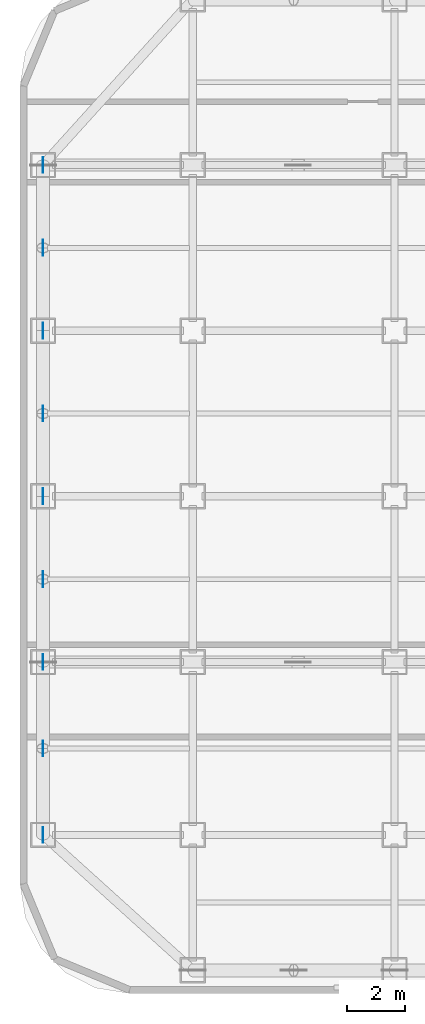
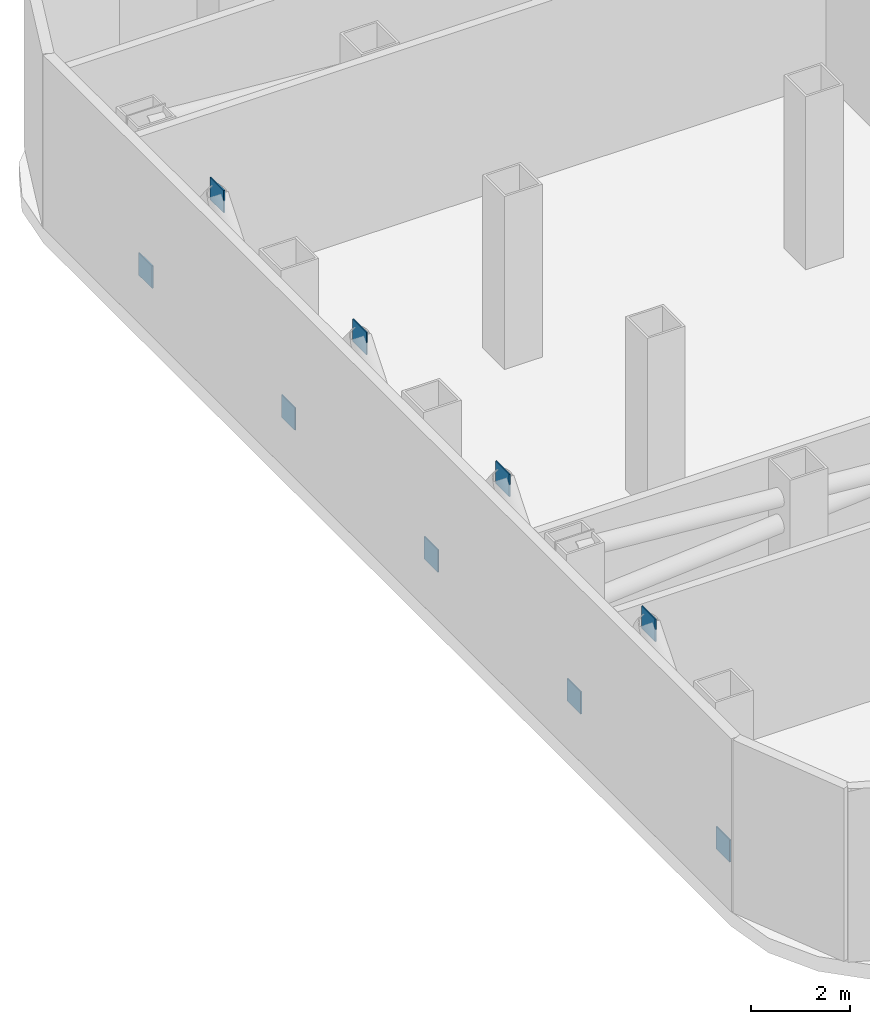
# One storey, part 5 of 9: 9 plates.
"""IFC4 building model written with IfcOpenShell, lengths in metres."""

import ifcopenshell
import ifcopenshell.guid

model = None  # the IFC model being written
_history = None  # IfcOwnerHistory: only IFC2X3 demands one
_inside = {}  # id of a spatial element -> (the spatial element, [elements in it])
_under = {}  # id of a project, library or spatial element -> (it, [spatial elements below it])
_declared = {}  # id of a project -> (the project, [libraries it declares])
_typed = {}  # id of a type object -> (the type object, [elements of that type])
_made_of = {}  # id of a material, layer set ... -> (it, [elements and type objects made of it])


def new_model(schema):
    """Start an empty IFC model of exactly this schema.

    Asked for "IFC4X3", IfcOpenShell would pick the latest addendum, in which some entities
    have other attributes; the version numbers below select the first issue.
    IFC2X3 requires an IfcOwnerHistory on every rooted entity: one is made here for all.
    """
    global model, _history
    if schema == "IFC4X3":
        model = ifcopenshell.file(schema_version=(4, 3, 0, 0))
    else:
        model = ifcopenshell.file(schema=schema)
    _inside.clear()
    _under.clear()
    _declared.clear()
    _typed.clear()
    _made_of.clear()
    _history = None
    if model.schema == "IFC2X3":
        org = make("IfcOrganization", Name="unknown")
        user = make(
            "IfcPersonAndOrganization",
            ThePerson=make("IfcPerson", FamilyName="unknown"),
            TheOrganization=org,
        )
        app = make(
            "IfcApplication",
            ApplicationDeveloper=org,
            Version="unknown",
            ApplicationFullName="unknown",
            ApplicationIdentifier="unknown",
        )
        _history = make(
            "IfcOwnerHistory",
            OwningUser=user,
            OwningApplication=app,
            ChangeAction="ADDED",
            CreationDate=0,
        )
    return model


def make(cls, **values):
    """One entity of the class cls with the attributes given. An attribute that is None is left unset."""
    return model.create_entity(
        cls, **{name: value for name, value in values.items() if value is not None}
    )


def rooted(cls, **values):
    """An entity with a GlobalId (a new one), such as an element, a storey or a relation."""
    return make(cls, GlobalId=ifcopenshell.guid.new(), OwnerHistory=_history, **values)


def si_unit(unit_type, name, prefix=None):
    """IfcSIUnit, for example si_unit("LENGTHUNIT", "METRE", prefix="MILLI")."""
    return make("IfcSIUnit", UnitType=unit_type, Prefix=prefix, Name=name)


def assignment(units):
    """IfcUnitAssignment: the units of a project."""
    return None if units is None else make("IfcUnitAssignment", Units=units)


def point(xyz):
    """IfcCartesianPoint."""
    return None if xyz is None else make("IfcCartesianPoint", Coordinates=xyz)


def direction(xyz):
    """IfcDirection."""
    return None if xyz is None else make("IfcDirection", DirectionRatios=xyz)


def frame(location, z_axis=None, x_axis=None):
    """IfcAxis2Placement3D, a coordinate frame: its origin and axes. An axis left out is left unset."""
    return make(
        "IfcAxis2Placement3D",
        Location=point(location),
        Axis=direction(z_axis),
        RefDirection=direction(x_axis),
    )


def frame_2d(location, x_axis=None):
    """IfcAxis2Placement2D, a coordinate frame in the plane: its origin and x axis."""
    return make(
        "IfcAxis2Placement2D", Location=point(location), RefDirection=direction(x_axis)
    )


def origin():
    """The frame at (0, 0, 0) with its axes left unset."""
    return frame((0.0, 0.0, 0.0))


def origin_2d():
    """The frame at (0, 0) in the plane with its x axis left unset."""
    return frame_2d((0.0, 0.0))


def place(relative_to, where):
    """IfcLocalPlacement: puts the frame where relative to a parent placement (None: the world)."""
    return make(
        "IfcLocalPlacement", PlacementRelTo=relative_to, RelativePlacement=where
    )


def context(
    kind, dimensions, precision=None, world=None, true_north=None, identifier=None
):
    """IfcGeometricRepresentationContext, for example the 3D "Model" context."""
    return make(
        "IfcGeometricRepresentationContext",
        ContextIdentifier=identifier,
        ContextType=kind,
        CoordinateSpaceDimension=dimensions,
        Precision=precision,
        WorldCoordinateSystem=world,
        TrueNorth=true_north,
    )


def subcontext(parent, identifier, kind, view, scale=None):
    """IfcGeometricRepresentationSubContext, for example "Body" below "Model"."""
    return make(
        "IfcGeometricRepresentationSubContext",
        ContextIdentifier=identifier,
        ContextType=kind,
        ParentContext=parent,
        TargetScale=scale,
        TargetView=view,
    )


def project(units=None, contexts=None):
    """IfcProject with its units and contexts."""
    return rooted(
        "IfcProject",
        Name="project",
        RepresentationContexts=contexts,
        UnitsInContext=assignment(units),
    )


def spatial(cls, under=None, at=None, **own):
    """A site, building, storey or space (cls), placed at a placement, below another one or the project."""
    s = rooted(cls, ObjectPlacement=at, **own)
    if under is not None:
        _under.setdefault(under.id(), (under, []))[1].append(s)
    return s


def profile(cls, at=None, kind="AREA", **sizes):
    """A parametric profile (cls). Its sizes go by their IFC names, for example OverallWidth=200.0."""
    return make(cls, ProfileType=kind, Position=at, **sizes)


def rectangle(**sizes):
    """IfcRectangleProfileDef."""
    return profile("IfcRectangleProfileDef", **sizes)


def extrude(swept, where, along, depth):
    """IfcExtrudedAreaSolid: the profile swept, set in the frame where, extruded along a direction by depth."""
    return make(
        "IfcExtrudedAreaSolid",
        SweptArea=swept,
        Position=where,
        ExtrudedDirection=direction(along),
        Depth=depth,
    )


def shape(context_of_items, identifier, shape_type, items):
    """IfcShapeRepresentation: the items that make up one representation, for example the "Body"."""
    return make(
        "IfcShapeRepresentation",
        ContextOfItems=context_of_items,
        RepresentationIdentifier=identifier,
        RepresentationType=shape_type,
        Items=items,
    )


def source(mapping_origin, context_of_items, identifier, shape_type, items):
    """IfcRepresentationMap: a shape defined once, which mapped items show again and again."""
    return make(
        "IfcRepresentationMap",
        MappingOrigin=mapping_origin,
        MappedRepresentation=shape(context_of_items, identifier, shape_type, items),
    )


def transform(
    local_origin,
    x_axis=None,
    y_axis=None,
    z_axis=None,
    scale=None,
    scale2=None,
    scale3=None,
    uniform=True,
):
    """IfcCartesianTransformationOperator3D, or its non-uniform kind. x_axis, y_axis, z_axis: its Axis1, 2, 3."""
    if uniform:
        return make(
            "IfcCartesianTransformationOperator3D",
            Axis1=direction(x_axis),
            Axis2=direction(y_axis),
            LocalOrigin=point(local_origin),
            Scale=scale,
            Axis3=direction(z_axis),
        )
    return make(
        "IfcCartesianTransformationOperator3DnonUniform",
        Axis1=direction(x_axis),
        Axis2=direction(y_axis),
        LocalOrigin=point(local_origin),
        Scale=scale,
        Axis3=direction(z_axis),
        Scale2=scale2,
        Scale3=scale3,
    )


def mapped(mapping_source, mapping_target):
    """IfcMappedItem: shows the shape of a source again, moved by a transform."""
    return make(
        "IfcMappedItem", MappingSource=mapping_source, MappingTarget=mapping_target
    )


def material(Name=None, Category=None):
    """IfcMaterial."""
    return make("IfcMaterial", Name=Name, Category=Category)


def layer(
    of_material, thickness, ventilated=None, Name=None, Category=None, Priority=None
):
    """IfcMaterialLayer: one layer of a wall or slab, of a material (None: an air gap)."""
    return make(
        "IfcMaterialLayer",
        Material=of_material,
        LayerThickness=thickness,
        IsVentilated=ventilated,
        Name=Name,
        Category=Category,
        Priority=Priority,
    )


def layer_set(layers, Name=None):
    """IfcMaterialLayerSet."""
    return make("IfcMaterialLayerSet", MaterialLayers=layers, LayerSetName=Name)


def made_of(thing, what):
    """Note that an element or type object is made of a material, layer set ...; save() writes the relation."""
    if what is not None:
        _made_of.setdefault(what.id(), (what, []))[1].append(thing)
    return thing


def type_object(cls, material=None, **own):
    """A type object (cls), such as IfcWallType, which elements share."""
    return made_of(rooted(cls, **own), material)


def element(
    cls,
    number,
    at=None,
    inside=None,
    cuts=None,
    type_object=None,
    material=None,
    context=None,
    identifier="Body",
    shape_type=None,
    held_by="IfcProductDefinitionShape",
    body=None,
    shapes=None,
    **own,
):
    """One element of the class cls, such as IfcWall. Its Tag is "e" and its number.

    at: its placement. inside: the storey or other place that contains it. cuts: it is an
    opening in that element (IfcRelVoidsElement). A single representation is given by context,
    identifier, shape_type and body (its items); several are given by shapes. held_by: the class
    of the entity that holds the representations. save() writes the other relations.
    """
    e = rooted(cls, Tag="e%d" % number, ObjectPlacement=at, **own)
    if body is not None:
        shapes = [shape(context, identifier, shape_type, body)]
    if shapes is not None:
        e.Representation = make(held_by, Representations=shapes)
    if inside is not None:
        _inside.setdefault(inside.id(), (inside, []))[1].append(e)
    if cuts is not None:
        rooted(
            "IfcRelVoidsElement", RelatingBuildingElement=cuts, RelatedOpeningElement=e
        )
    if type_object is not None:
        _typed.setdefault(type_object.id(), (type_object, []))[1].append(e)
    return made_of(e, material)


def aggregate(whole, parts):
    """IfcRelAggregates: a whole, such as a stair, and the parts it consists of."""
    return rooted("IfcRelAggregates", RelatingObject=whole, RelatedObjects=parts)


def save(model, path):
    """Write the relations noted so far, then the file.

    IfcRelAggregates (storeys below a building ...), IfcRelContainedInSpatialStructure (elements
    in a storey), IfcRelDefinesByType, IfcRelAssociatesMaterial and IfcRelDeclares: one each for
    every whole, place, type object, material and project.
    """
    for whole, parts in _under.values():
        aggregate(whole, parts)
    for where, things in _inside.values():
        rooted(
            "IfcRelContainedInSpatialStructure",
            RelatedElements=things,
            RelatingStructure=where,
        )
    for kind, things in _typed.values():
        rooted("IfcRelDefinesByType", RelatedObjects=things, RelatingType=kind)
    for what, things in _made_of.values():
        rooted("IfcRelAssociatesMaterial", RelatedObjects=things, RelatingMaterial=what)
    for by, libraries in _declared.values():
        rooted("IfcRelDeclares", RelatingContext=by, RelatedDefinitions=libraries)
    model.write(path)


model = new_model("IFC4")

# Units and contexts
model_context = context("Model", 3, precision=1e-05, world=origin(), true_north=direction((0.0, 1.0)))
body_context = subcontext(model_context, "Body", "Model", "MODEL_VIEW")
ifc_project = project(units=[si_unit("LENGTHUNIT", "METRE"), si_unit("AREAUNIT", "SQUARE_METRE"), si_unit("VOLUMEUNIT", "CUBIC_METRE"), si_unit("PLANEANGLEUNIT", "RADIAN"), si_unit("MASSUNIT", "GRAM", prefix="KILO")], contexts=[model_context])

# Site, building, storey
site_placement = place(None, origin())
site = spatial("IfcSite", under=ifc_project, at=site_placement, CompositionType="ELEMENT")
building_placement = place(site_placement, origin())
building = spatial("IfcBuilding", under=site, at=building_placement, Name="Kolveth Station Tower", CompositionType="ELEMENT")
storey_placement = place(building_placement, frame((0.0, 0.0, 143.89990234375)))
storey = spatial("IfcBuildingStorey", under=building, at=storey_placement, Name="L40", CompositionType="ELEMENT", Elevation=143.89990234375)

# Plates
ifc_material = material(Name="Steel S355", Category="steel")
ifc_layer = layer(ifc_material, 0.028076171875)
ifc_layer_set = layer_set([ifc_layer], Name="Steel S355")
plate_type = type_object("IfcPlateType", Name="Plate_CP1", PredefinedType="USERDEFINED", material=ifc_layer_set)
shared_shape = source(origin(), body_context, "Body", "SweptSolid", [
    extrude(rectangle(XDim=0.028076171875, YDim=0.550048828125, at=origin_2d()), origin(), (0.0, 0.0, 1.0), 0.550048828125),
])
for number, where, z_axis, x_axis, name in (
    (1, (0.800048828125, 5.5, 0.0751953125), (0.0, 0.0, 1.0), (1.0, 0.0, 0.0), "L40 Belt Truss Base Plate W1"),
    (2, (0.800048828125, 11.5, 0.0751953125), (0.0, 0.0, 1.0), (1.0, 0.0, 0.0), "L40 Belt Truss Base Plate W2"),
    (3, (0.800048828125, 17.25, 0.0751953125), (0.0, 0.0, 1.0), (1.0, 0.0, 0.0), "L40 Belt Truss Base Plate W3"),
    (4, (0.800048828125, 23.0, 0.0751953125), (0.0, 0.0, 1.0), (1.0, 0.0, 0.0), "L40 Belt Truss Base Plate W4"),
    (5, (0.800048828125, 28.75, 0.0751953125), (0.0, 0.0, 1.0), (1.0, 0.0, 0.0), "L40 Belt Truss Base Plate W5"),
    (6, (0.800048828125, 8.5, 3.67529296875), (0.0, 0.0, 1.0), (1.0, 0.0, 0.0), "L40 Belt Truss Cap Plate W1"),
    (7, (0.800048828125, 14.375, 3.67529296875), (0.0, 0.0, 1.0), (1.0, 0.0, 0.0), "L40 Belt Truss Cap Plate W2"),
    (8, (0.800048828125, 20.125, 3.67529296875), (0.0, 0.0, 1.0), (1.0, 0.0, 0.0), "L40 Belt Truss Cap Plate W3"),
    (9, (0.800048828125, 25.875, 3.67529296875), (0.0, 0.0, 1.0), (1.0, 0.0, 0.0), "L40 Belt Truss Cap Plate W4"),
):
    element("IfcPlate", number, at=place(storey_placement, frame(where, z_axis=z_axis, x_axis=x_axis)), inside=storey, type_object=plate_type, Name=name, ObjectType="GUSSET_PLATE", PredefinedType="USERDEFINED", context=body_context, shape_type="MappedRepresentation", body=[
        mapped(shared_shape, transform((0.0, 0.0, 0.0), x_axis=(1.0, 0.0, 0.0), y_axis=(0.0, 1.0, 0.0), z_axis=(0.0, 0.0, 1.0), scale=1.0)),
    ])

save(model, "model.ifc")
